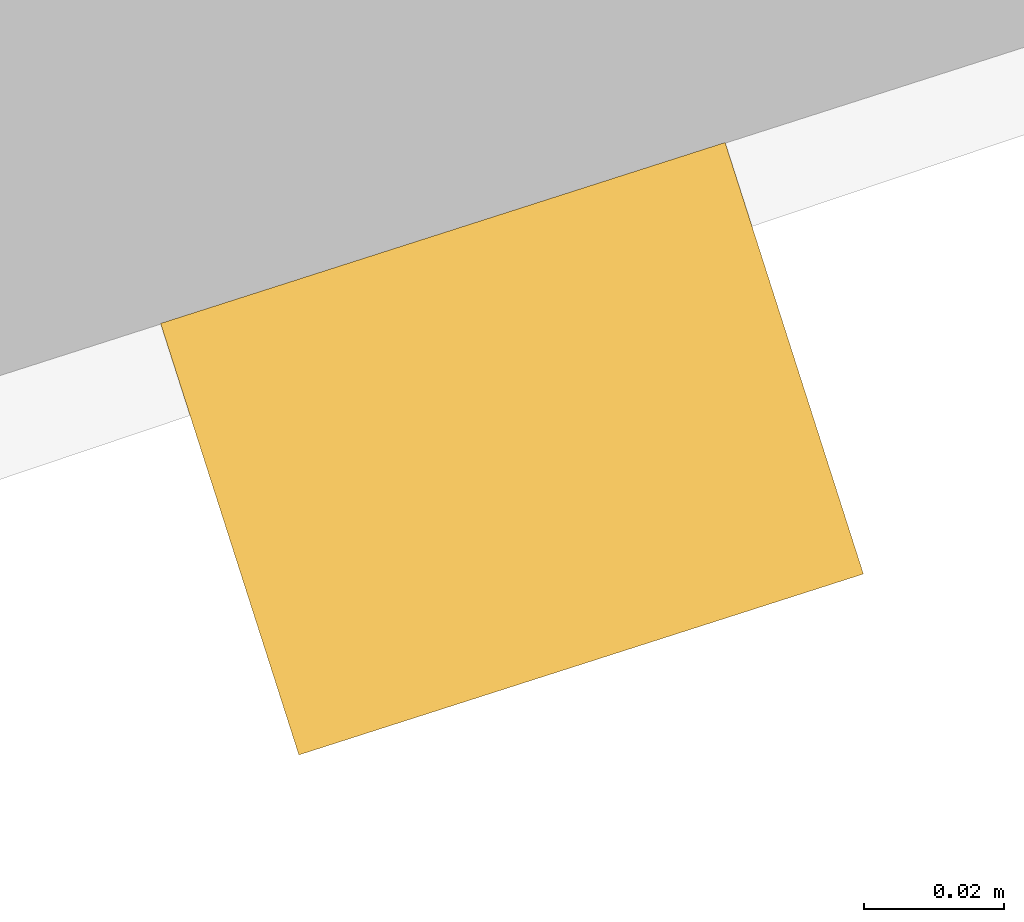
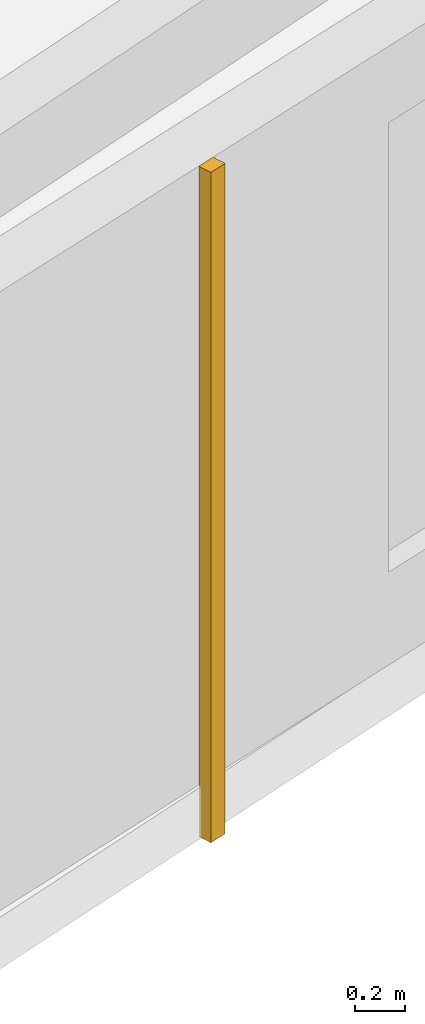
# One storey, part 70 of 74: 1 covering.
"""IFC4 building model written with IfcOpenShell, lengths in metres."""

from ifc_helpers import new_model, si_unit, direction, frame, origin, origin_2d, place, context, subcontext, project, spatial, rectangle, extrude, material, layer, layer_set, type_object, element, save


model = new_model("IFC4")

# Units and contexts
model_context = context("Model", 3, precision=1e-05, world=origin(), true_north=direction((0.0, 1.0)))
body_context = subcontext(model_context, "Body", "Model", "MODEL_VIEW")
ifc_project = project(units=[si_unit("LENGTHUNIT", "METRE"), si_unit("AREAUNIT", "SQUARE_METRE"), si_unit("VOLUMEUNIT", "CUBIC_METRE"), si_unit("PLANEANGLEUNIT", "RADIAN"), si_unit("MASSUNIT", "GRAM", prefix="KILO")], contexts=[model_context])

# Site, building, storey
site_placement = place(None, origin())
site = spatial("IfcSite", under=ifc_project, at=site_placement, CompositionType="ELEMENT")
building_placement = place(site_placement, origin())
building = spatial("IfcBuilding", under=site, at=building_placement, Name="Kestramere Prow Commons", CompositionType="ELEMENT")
storey_placement = place(building_placement, frame((0.0, 0.0, 11.64990234375)))
storey = spatial("IfcBuildingStorey", under=building, at=storey_placement, Name="L03", CompositionType="ELEMENT", Elevation=11.64990234375)

# Covering
ifc_material = material(Name="Weathered Zinc-Titanium Standing-Seam Cladding")
ifc_layer = layer(ifc_material, 0.074951171875)
ifc_layer_set = layer_set([ifc_layer], Name="Weathered Zinc-Titanium Standing-Seam Cladding")
covering_type = type_object("IfcCoveringType", Name="COV-CLAD-SEAM", PredefinedType="CLADDING", material=ifc_layer_set)
covering_placement = place(storey_placement, frame((159.73046875, 89.524169921875, -0.25), z_axis=(0.0, 0.0, 1.0), x_axis=(-0.952283464374, -0.305215011884, 0.0)))
element("IfcCovering", 1, at=covering_placement, inside=storey, type_object=covering_type, Name="EW-B-L03-PRW-S Standing-Seam Rib 4", PredefinedType="CLADDING", context=body_context, shape_type="SweptSolid", body=[
    extrude(rectangle(XDim=0.0849609375, YDim=0.06494140625, at=origin_2d()), origin(), (0.0, 0.0, 1.0), 3.25),
])

save(model, "model.ifc")
